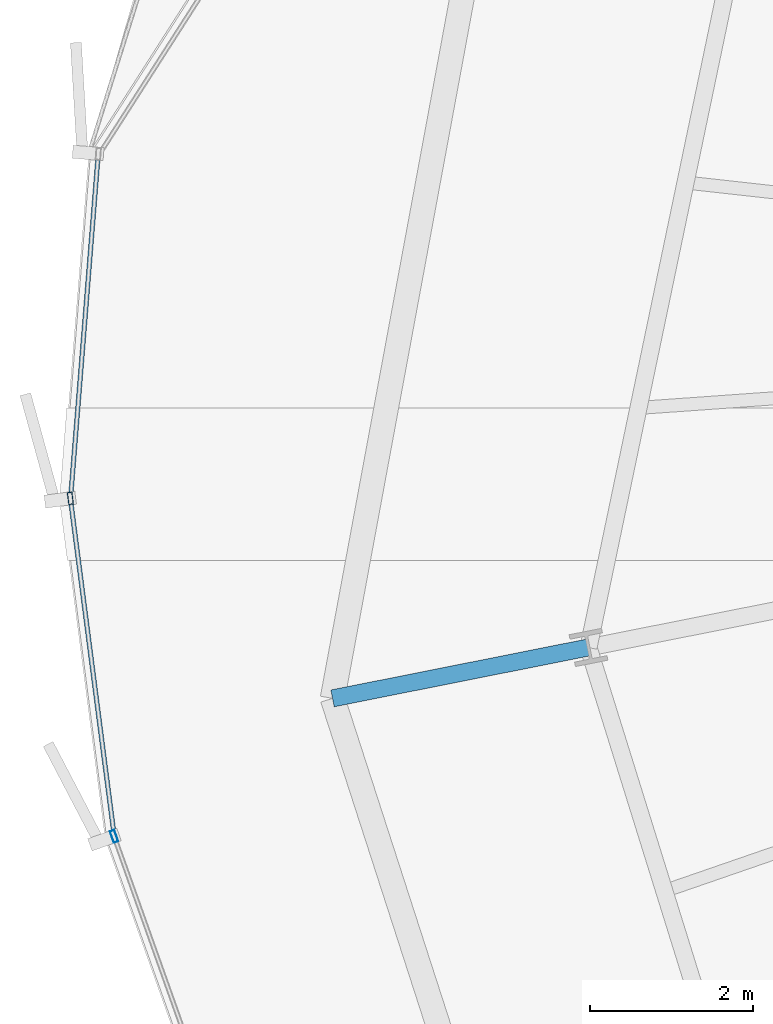
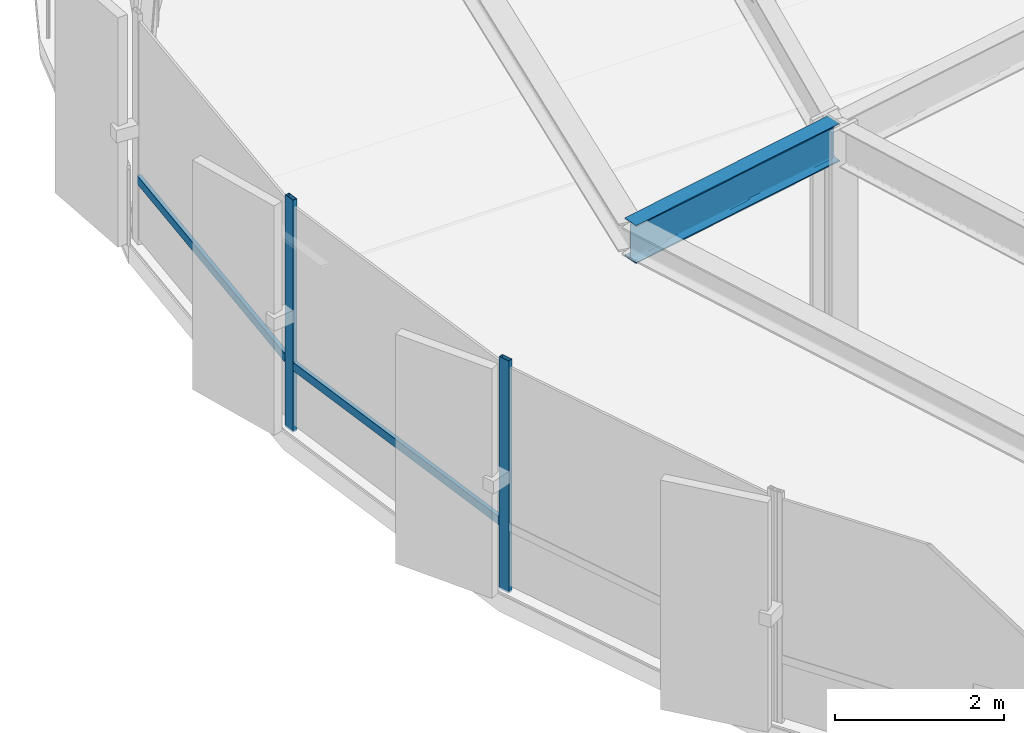
# One storey, part 8 of 35: 4 members, 1 beam, 1 element without a shape of its own.
"""IFC4 building model written with IfcOpenShell, lengths in metres."""

import ifcopenshell
import ifcopenshell.guid

model = None  # the IFC model being written
_history = None  # IfcOwnerHistory: only IFC2X3 demands one
_inside = {}  # id of a spatial element -> (the spatial element, [elements in it])
_under = {}  # id of a project, library or spatial element -> (it, [spatial elements below it])
_declared = {}  # id of a project -> (the project, [libraries it declares])
_typed = {}  # id of a type object -> (the type object, [elements of that type])
_made_of = {}  # id of a material, layer set ... -> (it, [elements and type objects made of it])


def new_model(schema):
    """Start an empty IFC model of exactly this schema.

    Asked for "IFC4X3", IfcOpenShell would pick the latest addendum, in which some entities
    have other attributes; the version numbers below select the first issue.
    IFC2X3 requires an IfcOwnerHistory on every rooted entity: one is made here for all.
    """
    global model, _history
    if schema == "IFC4X3":
        model = ifcopenshell.file(schema_version=(4, 3, 0, 0))
    else:
        model = ifcopenshell.file(schema=schema)
    _inside.clear()
    _under.clear()
    _declared.clear()
    _typed.clear()
    _made_of.clear()
    _history = None
    if model.schema == "IFC2X3":
        org = make("IfcOrganization", Name="unknown")
        user = make(
            "IfcPersonAndOrganization",
            ThePerson=make("IfcPerson", FamilyName="unknown"),
            TheOrganization=org,
        )
        app = make(
            "IfcApplication",
            ApplicationDeveloper=org,
            Version="unknown",
            ApplicationFullName="unknown",
            ApplicationIdentifier="unknown",
        )
        _history = make(
            "IfcOwnerHistory",
            OwningUser=user,
            OwningApplication=app,
            ChangeAction="ADDED",
            CreationDate=0,
        )
    return model


def make(cls, **values):
    """One entity of the class cls with the attributes given. An attribute that is None is left unset."""
    return model.create_entity(
        cls, **{name: value for name, value in values.items() if value is not None}
    )


def rooted(cls, **values):
    """An entity with a GlobalId (a new one), such as an element, a storey or a relation."""
    return make(cls, GlobalId=ifcopenshell.guid.new(), OwnerHistory=_history, **values)


def si_unit(unit_type, name, prefix=None):
    """IfcSIUnit, for example si_unit("LENGTHUNIT", "METRE", prefix="MILLI")."""
    return make("IfcSIUnit", UnitType=unit_type, Prefix=prefix, Name=name)


def assignment(units):
    """IfcUnitAssignment: the units of a project."""
    return None if units is None else make("IfcUnitAssignment", Units=units)


def point(xyz):
    """IfcCartesianPoint."""
    return None if xyz is None else make("IfcCartesianPoint", Coordinates=xyz)


def direction(xyz):
    """IfcDirection."""
    return None if xyz is None else make("IfcDirection", DirectionRatios=xyz)


def frame(location, z_axis=None, x_axis=None):
    """IfcAxis2Placement3D, a coordinate frame: its origin and axes. An axis left out is left unset."""
    return make(
        "IfcAxis2Placement3D",
        Location=point(location),
        Axis=direction(z_axis),
        RefDirection=direction(x_axis),
    )


def frame_2d(location, x_axis=None):
    """IfcAxis2Placement2D, a coordinate frame in the plane: its origin and x axis."""
    return make(
        "IfcAxis2Placement2D", Location=point(location), RefDirection=direction(x_axis)
    )


def origin():
    """The frame at (0, 0, 0) with its axes left unset."""
    return frame((0.0, 0.0, 0.0))


def origin_2d():
    """The frame at (0, 0) in the plane with its x axis left unset."""
    return frame_2d((0.0, 0.0))


def place(relative_to, where):
    """IfcLocalPlacement: puts the frame where relative to a parent placement (None: the world)."""
    return make(
        "IfcLocalPlacement", PlacementRelTo=relative_to, RelativePlacement=where
    )


def context(
    kind, dimensions, precision=None, world=None, true_north=None, identifier=None
):
    """IfcGeometricRepresentationContext, for example the 3D "Model" context."""
    return make(
        "IfcGeometricRepresentationContext",
        ContextIdentifier=identifier,
        ContextType=kind,
        CoordinateSpaceDimension=dimensions,
        Precision=precision,
        WorldCoordinateSystem=world,
        TrueNorth=true_north,
    )


def subcontext(parent, identifier, kind, view, scale=None):
    """IfcGeometricRepresentationSubContext, for example "Body" below "Model"."""
    return make(
        "IfcGeometricRepresentationSubContext",
        ContextIdentifier=identifier,
        ContextType=kind,
        ParentContext=parent,
        TargetScale=scale,
        TargetView=view,
    )


def project(units=None, contexts=None):
    """IfcProject with its units and contexts."""
    return rooted(
        "IfcProject",
        Name="project",
        RepresentationContexts=contexts,
        UnitsInContext=assignment(units),
    )


def spatial(cls, under=None, at=None, **own):
    """A site, building, storey or space (cls), placed at a placement, below another one or the project."""
    s = rooted(cls, ObjectPlacement=at, **own)
    if under is not None:
        _under.setdefault(under.id(), (under, []))[1].append(s)
    return s


def profile(cls, at=None, kind="AREA", **sizes):
    """A parametric profile (cls). Its sizes go by their IFC names, for example OverallWidth=200.0."""
    return make(cls, ProfileType=kind, Position=at, **sizes)


def hollow_rectangle(**sizes):
    """IfcRectangleHollowProfileDef."""
    return profile("IfcRectangleHollowProfileDef", **sizes)


def i_section(**sizes):
    """IfcIShapeProfileDef."""
    return profile("IfcIShapeProfileDef", **sizes)


def extrude(swept, where, along, depth):
    """IfcExtrudedAreaSolid: the profile swept, set in the frame where, extruded along a direction by depth."""
    return make(
        "IfcExtrudedAreaSolid",
        SweptArea=swept,
        Position=where,
        ExtrudedDirection=direction(along),
        Depth=depth,
    )


def shape(context_of_items, identifier, shape_type, items):
    """IfcShapeRepresentation: the items that make up one representation, for example the "Body"."""
    return make(
        "IfcShapeRepresentation",
        ContextOfItems=context_of_items,
        RepresentationIdentifier=identifier,
        RepresentationType=shape_type,
        Items=items,
    )


def source(mapping_origin, context_of_items, identifier, shape_type, items):
    """IfcRepresentationMap: a shape defined once, which mapped items show again and again."""
    return make(
        "IfcRepresentationMap",
        MappingOrigin=mapping_origin,
        MappedRepresentation=shape(context_of_items, identifier, shape_type, items),
    )


def transform(
    local_origin,
    x_axis=None,
    y_axis=None,
    z_axis=None,
    scale=None,
    scale2=None,
    scale3=None,
    uniform=True,
):
    """IfcCartesianTransformationOperator3D, or its non-uniform kind. x_axis, y_axis, z_axis: its Axis1, 2, 3."""
    if uniform:
        return make(
            "IfcCartesianTransformationOperator3D",
            Axis1=direction(x_axis),
            Axis2=direction(y_axis),
            LocalOrigin=point(local_origin),
            Scale=scale,
            Axis3=direction(z_axis),
        )
    return make(
        "IfcCartesianTransformationOperator3DnonUniform",
        Axis1=direction(x_axis),
        Axis2=direction(y_axis),
        LocalOrigin=point(local_origin),
        Scale=scale,
        Axis3=direction(z_axis),
        Scale2=scale2,
        Scale3=scale3,
    )


def mapped(mapping_source, mapping_target):
    """IfcMappedItem: shows the shape of a source again, moved by a transform."""
    return make(
        "IfcMappedItem", MappingSource=mapping_source, MappingTarget=mapping_target
    )


def material(Name=None, Category=None):
    """IfcMaterial."""
    return make("IfcMaterial", Name=Name, Category=Category)


def layer(
    of_material, thickness, ventilated=None, Name=None, Category=None, Priority=None
):
    """IfcMaterialLayer: one layer of a wall or slab, of a material (None: an air gap)."""
    return make(
        "IfcMaterialLayer",
        Material=of_material,
        LayerThickness=thickness,
        IsVentilated=ventilated,
        Name=Name,
        Category=Category,
        Priority=Priority,
    )


def layer_set(layers, Name=None):
    """IfcMaterialLayerSet."""
    return make("IfcMaterialLayerSet", MaterialLayers=layers, LayerSetName=Name)


def material_profile(
    of_material, cross_section, Name=None, Category=None, Priority=None
):
    """IfcMaterialProfile: a cross section and its material."""
    return make(
        "IfcMaterialProfile",
        Name=Name,
        Material=of_material,
        Profile=cross_section,
        Priority=Priority,
        Category=Category,
    )


def profile_set(profiles, Name=None, composite=None):
    """IfcMaterialProfileSet."""
    return make(
        "IfcMaterialProfileSet",
        Name=Name,
        MaterialProfiles=profiles,
        CompositeProfile=composite,
    )


def made_of(thing, what):
    """Note that an element or type object is made of a material, layer set ...; save() writes the relation."""
    if what is not None:
        _made_of.setdefault(what.id(), (what, []))[1].append(thing)
    return thing


def type_object(cls, material=None, **own):
    """A type object (cls), such as IfcWallType, which elements share."""
    return made_of(rooted(cls, **own), material)


def element(
    cls,
    number,
    at=None,
    inside=None,
    cuts=None,
    type_object=None,
    material=None,
    context=None,
    identifier="Body",
    shape_type=None,
    held_by="IfcProductDefinitionShape",
    body=None,
    shapes=None,
    **own,
):
    """One element of the class cls, such as IfcWall. Its Tag is "e" and its number.

    at: its placement. inside: the storey or other place that contains it. cuts: it is an
    opening in that element (IfcRelVoidsElement). A single representation is given by context,
    identifier, shape_type and body (its items); several are given by shapes. held_by: the class
    of the entity that holds the representations. save() writes the other relations.
    """
    e = rooted(cls, Tag="e%d" % number, ObjectPlacement=at, **own)
    if body is not None:
        shapes = [shape(context, identifier, shape_type, body)]
    if shapes is not None:
        e.Representation = make(held_by, Representations=shapes)
    if inside is not None:
        _inside.setdefault(inside.id(), (inside, []))[1].append(e)
    if cuts is not None:
        rooted(
            "IfcRelVoidsElement", RelatingBuildingElement=cuts, RelatedOpeningElement=e
        )
    if type_object is not None:
        _typed.setdefault(type_object.id(), (type_object, []))[1].append(e)
    return made_of(e, material)


def aggregate(whole, parts):
    """IfcRelAggregates: a whole, such as a stair, and the parts it consists of."""
    return rooted("IfcRelAggregates", RelatingObject=whole, RelatedObjects=parts)


def save(model, path):
    """Write the relations noted so far, then the file.

    IfcRelAggregates (storeys below a building ...), IfcRelContainedInSpatialStructure (elements
    in a storey), IfcRelDefinesByType, IfcRelAssociatesMaterial and IfcRelDeclares: one each for
    every whole, place, type object, material and project.
    """
    for whole, parts in _under.values():
        aggregate(whole, parts)
    for where, things in _inside.values():
        rooted(
            "IfcRelContainedInSpatialStructure",
            RelatedElements=things,
            RelatingStructure=where,
        )
    for kind, things in _typed.values():
        rooted("IfcRelDefinesByType", RelatedObjects=things, RelatingType=kind)
    for what, things in _made_of.values():
        rooted("IfcRelAssociatesMaterial", RelatedObjects=things, RelatingMaterial=what)
    for by, libraries in _declared.values():
        rooted("IfcRelDeclares", RelatingContext=by, RelatedDefinitions=libraries)
    model.write(path)


model = new_model("IFC4")

# Units and contexts
model_context = context("Model", 3, precision=1e-05, world=origin(), true_north=direction((0.0, 1.0)))
body_context = subcontext(model_context, "Body", "Model", "MODEL_VIEW")
ifc_project = project(units=[si_unit("LENGTHUNIT", "METRE"), si_unit("AREAUNIT", "SQUARE_METRE"), si_unit("VOLUMEUNIT", "CUBIC_METRE"), si_unit("PLANEANGLEUNIT", "RADIAN"), si_unit("MASSUNIT", "GRAM", prefix="KILO"), si_unit("THERMODYNAMICTEMPERATUREUNIT", "KELVIN")], contexts=[model_context])

# Site, building, storey
site_placement = place(None, origin())
site = spatial("IfcSite", under=ifc_project, at=site_placement, CompositionType="ELEMENT")
building_placement = place(site_placement, origin())
building = spatial("IfcBuilding", under=site, at=building_placement, Name="Kethvar Cultural Tower", CompositionType="ELEMENT")
storey_placement = place(building_placement, frame((0.0, 0.0, 89.199951171875)))
storey = spatial("IfcBuildingStorey", under=building, at=storey_placement, Name="L21", CompositionType="ELEMENT", Elevation=89.199951171875)

# Beam
ifc_material_1 = material(Name="Steel S355J2", Category="steel")
ifc_material_profile_1 = material_profile(ifc_material_1, i_section(OverallWidth=0.2099609375, OverallDepth=0.550048828125, WebThickness=0.010986328125, FlangeThickness=0.01708984375, FilletRadius=0.02392578125, at=origin_2d()), Name="Steel S355J2 — IPE550")
ifc_profile_set_1 = profile_set([ifc_material_profile_1], Name="Steel S355J2 — IPE550")
beam_type = type_object("IfcBeamType", Name="BM-IPE550", PredefinedType="BEAM", material=ifc_profile_set_1)
shared_shape_1 = source(origin(), body_context, "Body", "SweptSolid", [
    extrude(i_section(OverallWidth=0.2099609375, OverallDepth=0.550048828125, WebThickness=0.010986328125, FlangeThickness=0.01708984375, FilletRadius=0.02392578125, at=origin_2d()), origin(), (0.0, 0.0, 1.0), 3.199951171875),
])
beam_placement = place(storey_placement, frame((24.185302734375, 23.3017578125, 3.072998046875), z_axis=(-0.980785550224, -0.195088965533, 0.0), x_axis=(0.195088965533, -0.980785550224, 0.0)))
element("IfcBeam", 1, at=beam_placement, inside=storey, type_object=beam_type, Name="L21 Perimeter Cantilever Beam RC-09", PredefinedType="BEAM", context=body_context, shape_type="MappedRepresentation", body=[
    mapped(shared_shape_1, transform((0.0, 0.0, 0.0), scale=1.0)),
])

# Curtain wall, members
ifc_material_2 = material(Name="Aluminium 6063-T6", Category="aluminium")
ifc_layer = layer(ifc_material_2, 0.179931640625, Name="Aluminium 6063-T6", Category="aluminium")
ifc_layer_set = layer_set([ifc_layer], Name="Aluminium 6063-T6 (180 mm)")
curtain_wall_type = type_object("IfcCurtainWallType", Name="CW-SYS-03-Z2", PredefinedType="NOTDEFINED", material=ifc_layer_set)
curtain_wall_placement = place(storey_placement, origin())
curtain_wall = element("IfcCurtainWall", 2, at=curtain_wall_placement, inside=storey, type_object=curtain_wall_type, Name="L21 Curtain Wall Run 03", PredefinedType="NOTDEFINED")
ifc_material_profile_2 = material_profile(ifc_material_2, hollow_rectangle(XDim=0.06005859375, YDim=0.14990234375, WallThickness=0.0048828125, at=origin_2d()), Name="Aluminium 6063-T6 — RHS150x60x5")
ifc_profile_set_2 = profile_set([ifc_material_profile_2], Name="Aluminium 6063-T6 — RHS150x60x5")
member_type_1 = type_object("IfcMemberType", Name="CW-SYS-03-Z2-MUL", PredefinedType="MULLION", material=ifc_profile_set_2)
shared_shape_2 = source(origin(), body_context, "Body", "SweptSolid", [
    extrude(hollow_rectangle(XDim=0.06005859375, YDim=0.14990234375, WallThickness=0.0048828125, at=origin_2d()), origin(), (0.0, 0.0, 1.0), 3.35009765625),
])
member_1_placement = place(storey_placement, frame((17.832763671875, 25.1298828125, 0.0), z_axis=(0.0, 0.0, 1.0), x_axis=(0.991650918984, 0.12895136633, 0.0)))
member_1 = element("IfcMember", 3, at=member_1_placement, type_object=member_type_1, Name="CW-L21-R03 Mullion 5", PredefinedType="MULLION", context=body_context, shape_type="MappedRepresentation", body=[
    mapped(shared_shape_2, transform((0.0, 0.0, 0.0), scale=1.0)),
])
member_2_placement = place(storey_placement, frame((18.368896484375, 20.98681640625, 0.0), z_axis=(0.0, 0.0, 1.0), x_axis=(0.942110133774, 0.335303587574, 0.0)))
member_2 = element("IfcMember", 4, at=member_2_placement, type_object=member_type_1, Name="CW-L21-R03 Mullion 6", PredefinedType="MULLION", context=body_context, shape_type="MappedRepresentation", body=[
    mapped(shared_shape_2, transform((0.0, 0.0, 0.0), scale=1.0)),
])
ifc_material_profile_3 = material_profile(ifc_material_2, hollow_rectangle(XDim=0.054931640625, YDim=0.1201171875, WallThickness=0.00390625, at=origin_2d()), Name="Aluminium 6063-T6 — RHS120x55x4")
ifc_profile_set_3 = profile_set([ifc_material_profile_3], Name="Aluminium 6063-T6 — RHS120x55x4")
member_type_2 = type_object("IfcMemberType", Name="CW-SYS-03-Z2-TRN", PredefinedType="USERDEFINED", material=ifc_profile_set_3)
shared_shape_3 = source(origin(), body_context, "Body", "SweptSolid", [
    extrude(hollow_rectangle(XDim=0.054931640625, YDim=0.1201171875, WallThickness=0.00390625, at=origin_2d()), origin(), (0.0, 0.0, 1.0), 4.17578125),
])
member_3_placement = place(storey_placement, frame((18.171630859375, 29.31103515625, 0.949951171875), z_axis=(-0.080156520535, -0.996782289277, 0.0), x_axis=(0.996782289277, -0.080156520535, 0.0)))
member_3 = element("IfcMember", 5, at=member_3_placement, type_object=member_type_2, Name="CW-L21-R03 Transom 4", ObjectType="TRANSOM", PredefinedType="USERDEFINED", context=body_context, shape_type="MappedRepresentation", body=[
    mapped(shared_shape_3, transform((0.0, 0.0, 0.0), scale=1.0)),
])
shared_shape_4 = source(origin(), body_context, "Body", "SweptSolid", [
    extrude(hollow_rectangle(XDim=0.054931640625, YDim=0.1201171875, WallThickness=0.00390625, at=origin_2d()), origin(), (0.0, 0.0, 1.0), 4.115234375),
])
member_4_placement = place(storey_placement, frame((17.83837890625, 25.0869140625, 0.949951171875), z_axis=(0.128918147319, -0.991655238121, 0.0), x_axis=(0.991655238121, 0.128918147319, 0.0)))
member_4 = element("IfcMember", 6, at=member_4_placement, type_object=member_type_2, Name="CW-L21-R03 Transom 5", ObjectType="TRANSOM", PredefinedType="USERDEFINED", context=body_context, shape_type="MappedRepresentation", body=[
    mapped(shared_shape_4, transform((0.0, 0.0, 0.0), scale=1.0)),
])
aggregate(curtain_wall, [member_1, member_2, member_3, member_4])

save(model, "model.ifc")
